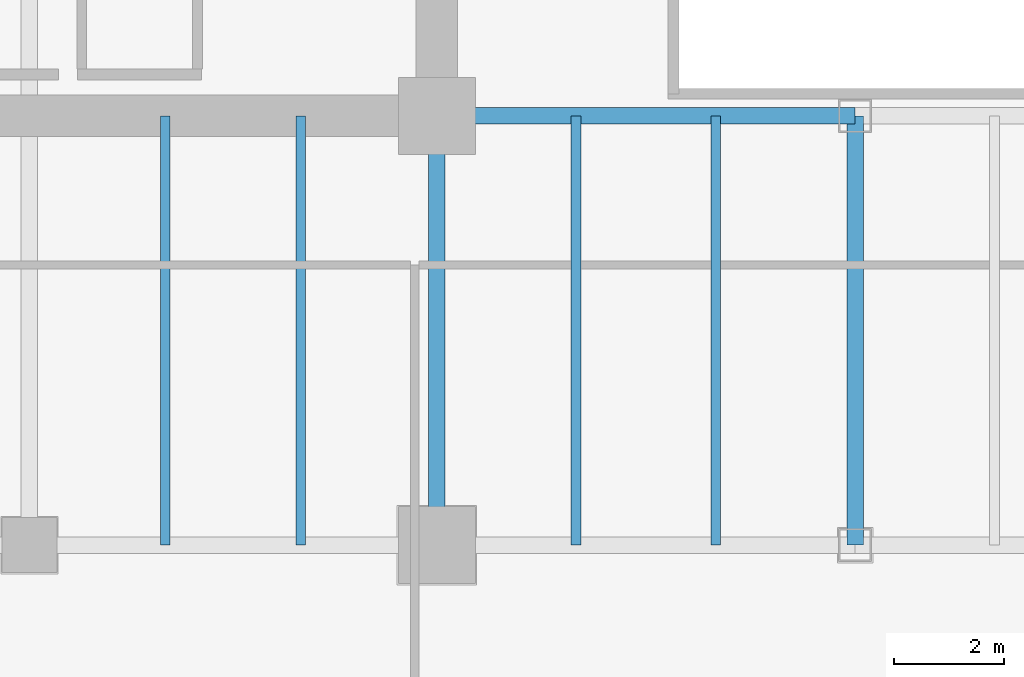
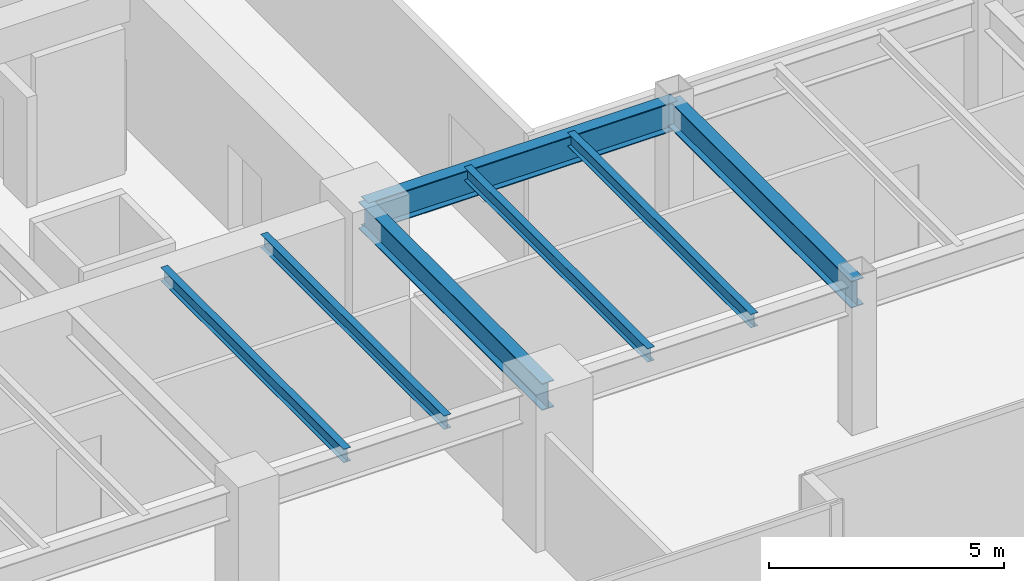
# One storey, part 5 of 36: 7 beams.
"""IFC4 building model written with IfcOpenShell, lengths in metres."""

from ifc_helpers import new_model, si_unit, direction, frame, origin, origin_2d, place, context, subcontext, project, spatial, i_section, extrude, source, transform, mapped, material, material_profile, profile_set, type_object, type_shapes, element, save


model = new_model("IFC4")

# Units and contexts
model_context = context("Model", 3, precision=1e-05, world=origin(), true_north=direction((0.0, 1.0)))
body_context = subcontext(model_context, "Body", "Model", "MODEL_VIEW")
ifc_project = project(units=[si_unit("LENGTHUNIT", "METRE"), si_unit("AREAUNIT", "SQUARE_METRE"), si_unit("VOLUMEUNIT", "CUBIC_METRE"), si_unit("PLANEANGLEUNIT", "RADIAN"), si_unit("MASSUNIT", "GRAM", prefix="KILO")], contexts=[model_context])

# Site, building, storey
site_placement = place(None, origin())
site = spatial("IfcSite", under=ifc_project, at=site_placement, CompositionType="ELEMENT")
building_placement = place(site_placement, origin())
building = spatial("IfcBuilding", under=site, at=building_placement, Name="Haelvirn Gate Laboratories", CompositionType="ELEMENT")
storey_placement = place(building_placement, frame((0.0, 0.0, 49.800048828125)))
storey = spatial("IfcBuildingStorey", under=building, at=storey_placement, Name="L12", CompositionType="ELEMENT", Elevation=49.800048828125)

# Beams
ifc_material = material(Name="Steel SM355", Category="steel")
ifc_material_profile_1 = material_profile(ifc_material, i_section(OverallWidth=0.300048828125, OverallDepth=0.699951171875, WebThickness=0.012939453125, FlangeThickness=0.02392578125, at=origin_2d()), Name="H-700x300x13x24")
ifc_profile_set_1 = profile_set([ifc_material_profile_1], Name="Steel SM355")
beam_type_1 = type_object("IfcBeamType", Name="BM-G-700", PredefinedType="BEAM", material=ifc_profile_set_1)
shared_shape_1 = source(origin(), body_context, "Body", "SweptSolid", [
    extrude(i_section(OverallWidth=0.300048828125, OverallDepth=0.699951171875, WebThickness=0.012939453125, FlangeThickness=0.02392578125, at=origin_2d()), origin(), (0.0, 0.0, 1.0), 7.800048828125),
])
type_shapes(beam_type_1, [shared_shape_1])
for number, where, z_axis, x_axis, name in (
    (1, (22.199951171875, 7.0, 3.429931640625), (0.0, 1.0, 0.0), (-1.0, 0.0, 0.0), "L12 Frame Girder X22.2 (7.0-14.8)"),
    (2, (29.800048828125, 7.0, 3.429931640625), (0.0, 1.0, 0.0), (-1.0, 0.0, 0.0), "L12 Frame Girder X29.8 (7.0-14.8)"),
):
    element("IfcBeam", number, at=place(storey_placement, frame(where, z_axis=z_axis, x_axis=x_axis)), inside=storey, type_object=beam_type_1, Name=name, PredefinedType="BEAM", context=body_context, shape_type="MappedRepresentation", body=[
        mapped(shared_shape_1, transform((0.0, 0.0, 0.0), scale=1.0)),
    ])
ifc_material_profile_2 = material_profile(ifc_material, i_section(OverallWidth=0.300048828125, OverallDepth=0.75, WebThickness=0.013916015625, FlangeThickness=0.02392578125, at=origin_2d()), Name="H-750x300x14x24")
ifc_profile_set_2 = profile_set([ifc_material_profile_2], Name="Steel SM355")
beam_type_2 = type_object("IfcBeamType", Name="BM-G-750", PredefinedType="BEAM", material=ifc_profile_set_2)
shared_shape_2 = source(origin(), body_context, "Body", "SweptSolid", [
    extrude(i_section(OverallWidth=0.300048828125, OverallDepth=0.75, WebThickness=0.013916015625, FlangeThickness=0.02392578125, at=origin_2d()), origin(), (0.0, 0.0, 1.0), 7.60009765625),
])
type_shapes(beam_type_2, [shared_shape_2])
beam_placement = place(storey_placement, frame((22.199951171875, 14.800048828125, 3.405029296875), z_axis=(1.0, 0.0, 0.0), x_axis=(0.0, 1.0, 0.0)))
element("IfcBeam", 3, at=beam_placement, inside=storey, type_object=beam_type_2, Name="L12 Primary Girder Y14.8 (22.2-29.8)", PredefinedType="BEAM", context=body_context, shape_type="MappedRepresentation", body=[
    mapped(shared_shape_2, transform((0.0, 0.0, 0.0), scale=1.0)),
])
ifc_material_profile_3 = material_profile(ifc_material, i_section(OverallWidth=0.175048828125, OverallDepth=0.35009765625, WebThickness=0.007080078125, FlangeThickness=0.010986328125, at=origin_2d()), Name="H-350x175x7x11")
ifc_profile_set_3 = profile_set([ifc_material_profile_3], Name="Steel SM355")
beam_type_3 = type_object("IfcBeamType", Name="BM-J-350", PredefinedType="JOIST", material=ifc_profile_set_3)
shared_shape_3 = source(origin(), body_context, "Body", "SweptSolid", [
    extrude(i_section(OverallWidth=0.175048828125, OverallDepth=0.35009765625, WebThickness=0.007080078125, FlangeThickness=0.010986328125, at=origin_2d()), origin(), (0.0, 0.0, 1.0), 7.800048828125),
])
type_shapes(beam_type_3, [shared_shape_3])
for number, where, z_axis, x_axis, name in (
    (4, (17.27001953125, 7.0, 3.60498046875), (0.0, 1.0, 0.0), (-1.0, 0.0, 0.0), "L12 Composite Lab Joist South X17.27"),
    (5, (19.72998046875, 7.0, 3.60498046875), (0.0, 1.0, 0.0), (-1.0, 0.0, 0.0), "L12 Composite Lab Joist South X19.73"),
    (6, (24.72998046875, 7.0, 3.60498046875), (0.0, 1.0, 0.0), (-1.0, 0.0, 0.0), "L12 Composite Lab Joist South X24.73"),
    (7, (27.27001953125, 7.0, 3.60498046875), (0.0, 1.0, 0.0), (-1.0, 0.0, 0.0), "L12 Composite Lab Joist South X27.27"),
):
    element("IfcBeam", number, at=place(storey_placement, frame(where, z_axis=z_axis, x_axis=x_axis)), inside=storey, type_object=beam_type_3, Name=name, PredefinedType="JOIST", context=body_context, shape_type="MappedRepresentation", body=[
        mapped(shared_shape_3, transform((0.0, 0.0, 0.0), scale=1.0)),
    ])

save(model, "model.ifc")
